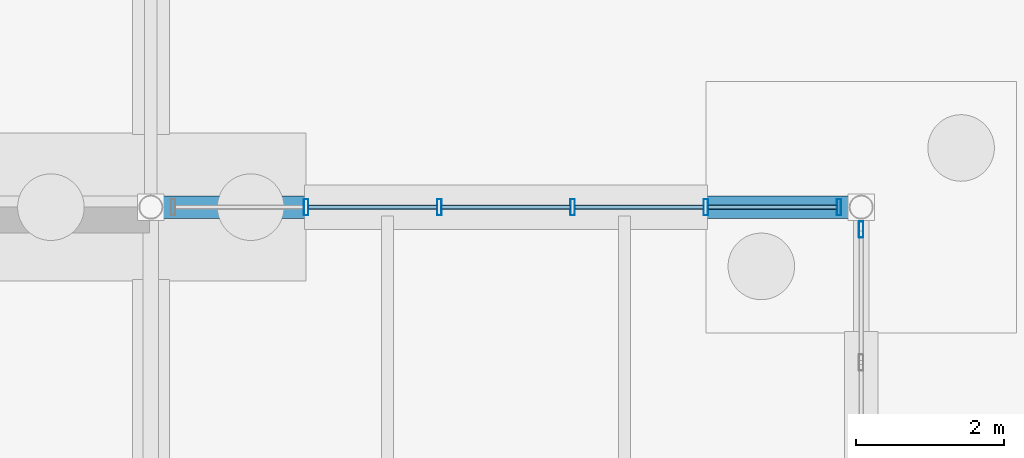
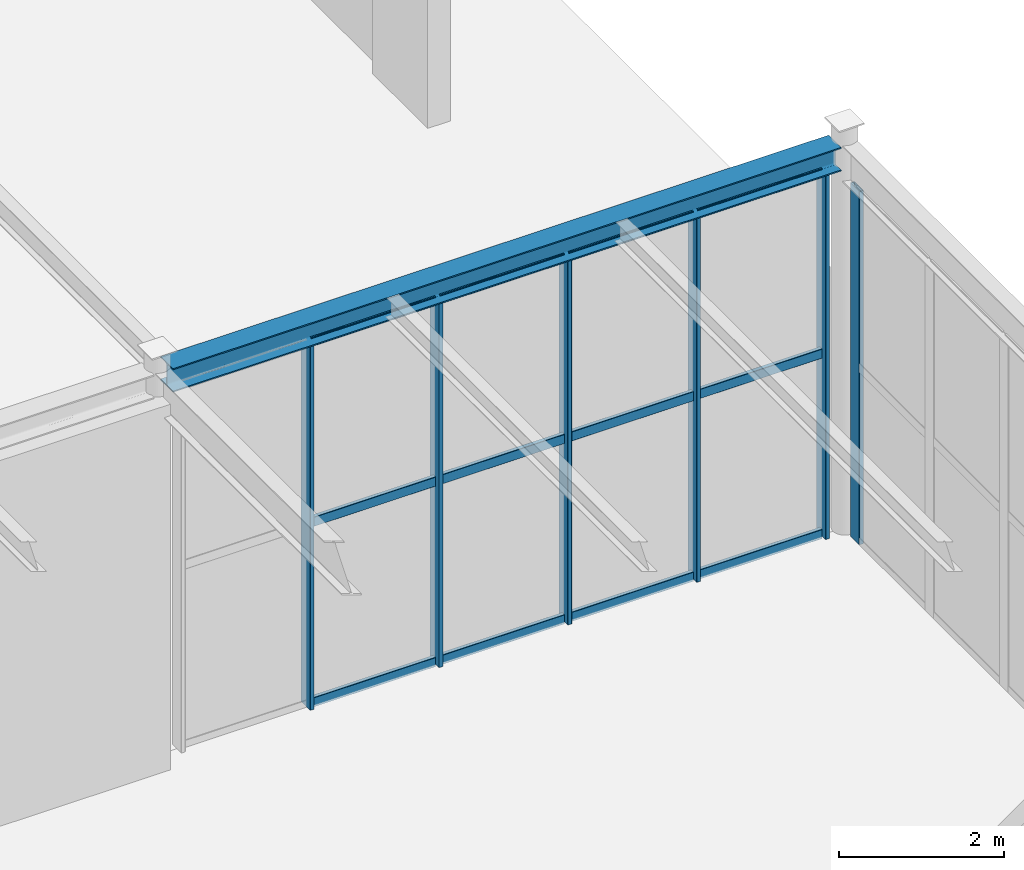
# One storey, part 102 of 142: 18 members, 1 beam, 2 elements without a shape of their own.
"""IFC4 building model written with IfcOpenShell, lengths in metres."""

import ifcopenshell
import ifcopenshell.guid

model = None  # the IFC model being written
_history = None  # IfcOwnerHistory: only IFC2X3 demands one
_inside = {}  # id of a spatial element -> (the spatial element, [elements in it])
_under = {}  # id of a project, library or spatial element -> (it, [spatial elements below it])
_declared = {}  # id of a project -> (the project, [libraries it declares])
_typed = {}  # id of a type object -> (the type object, [elements of that type])
_made_of = {}  # id of a material, layer set ... -> (it, [elements and type objects made of it])


def new_model(schema):
    """Start an empty IFC model of exactly this schema.

    Asked for "IFC4X3", IfcOpenShell would pick the latest addendum, in which some entities
    have other attributes; the version numbers below select the first issue.
    IFC2X3 requires an IfcOwnerHistory on every rooted entity: one is made here for all.
    """
    global model, _history
    if schema == "IFC4X3":
        model = ifcopenshell.file(schema_version=(4, 3, 0, 0))
    else:
        model = ifcopenshell.file(schema=schema)
    _inside.clear()
    _under.clear()
    _declared.clear()
    _typed.clear()
    _made_of.clear()
    _history = None
    if model.schema == "IFC2X3":
        org = make("IfcOrganization", Name="unknown")
        user = make(
            "IfcPersonAndOrganization",
            ThePerson=make("IfcPerson", FamilyName="unknown"),
            TheOrganization=org,
        )
        app = make(
            "IfcApplication",
            ApplicationDeveloper=org,
            Version="unknown",
            ApplicationFullName="unknown",
            ApplicationIdentifier="unknown",
        )
        _history = make(
            "IfcOwnerHistory",
            OwningUser=user,
            OwningApplication=app,
            ChangeAction="ADDED",
            CreationDate=0,
        )
    return model


def make(cls, **values):
    """One entity of the class cls with the attributes given. An attribute that is None is left unset."""
    return model.create_entity(
        cls, **{name: value for name, value in values.items() if value is not None}
    )


def rooted(cls, **values):
    """An entity with a GlobalId (a new one), such as an element, a storey or a relation."""
    return make(cls, GlobalId=ifcopenshell.guid.new(), OwnerHistory=_history, **values)


def si_unit(unit_type, name, prefix=None):
    """IfcSIUnit, for example si_unit("LENGTHUNIT", "METRE", prefix="MILLI")."""
    return make("IfcSIUnit", UnitType=unit_type, Prefix=prefix, Name=name)


def assignment(units):
    """IfcUnitAssignment: the units of a project."""
    return None if units is None else make("IfcUnitAssignment", Units=units)


def point(xyz):
    """IfcCartesianPoint."""
    return None if xyz is None else make("IfcCartesianPoint", Coordinates=xyz)


def direction(xyz):
    """IfcDirection."""
    return None if xyz is None else make("IfcDirection", DirectionRatios=xyz)


def frame(location, z_axis=None, x_axis=None):
    """IfcAxis2Placement3D, a coordinate frame: its origin and axes. An axis left out is left unset."""
    return make(
        "IfcAxis2Placement3D",
        Location=point(location),
        Axis=direction(z_axis),
        RefDirection=direction(x_axis),
    )


def frame_2d(location, x_axis=None):
    """IfcAxis2Placement2D, a coordinate frame in the plane: its origin and x axis."""
    return make(
        "IfcAxis2Placement2D", Location=point(location), RefDirection=direction(x_axis)
    )


def origin():
    """The frame at (0, 0, 0) with its axes left unset."""
    return frame((0.0, 0.0, 0.0))


def origin_2d():
    """The frame at (0, 0) in the plane with its x axis left unset."""
    return frame_2d((0.0, 0.0))


def place(relative_to, where):
    """IfcLocalPlacement: puts the frame where relative to a parent placement (None: the world)."""
    return make(
        "IfcLocalPlacement", PlacementRelTo=relative_to, RelativePlacement=where
    )


def context(
    kind, dimensions, precision=None, world=None, true_north=None, identifier=None
):
    """IfcGeometricRepresentationContext, for example the 3D "Model" context."""
    return make(
        "IfcGeometricRepresentationContext",
        ContextIdentifier=identifier,
        ContextType=kind,
        CoordinateSpaceDimension=dimensions,
        Precision=precision,
        WorldCoordinateSystem=world,
        TrueNorth=true_north,
    )


def subcontext(parent, identifier, kind, view, scale=None):
    """IfcGeometricRepresentationSubContext, for example "Body" below "Model"."""
    return make(
        "IfcGeometricRepresentationSubContext",
        ContextIdentifier=identifier,
        ContextType=kind,
        ParentContext=parent,
        TargetScale=scale,
        TargetView=view,
    )


def project(units=None, contexts=None):
    """IfcProject with its units and contexts."""
    return rooted(
        "IfcProject",
        Name="project",
        RepresentationContexts=contexts,
        UnitsInContext=assignment(units),
    )


def spatial(cls, under=None, at=None, **own):
    """A site, building, storey or space (cls), placed at a placement, below another one or the project."""
    s = rooted(cls, ObjectPlacement=at, **own)
    if under is not None:
        _under.setdefault(under.id(), (under, []))[1].append(s)
    return s


def profile(cls, at=None, kind="AREA", **sizes):
    """A parametric profile (cls). Its sizes go by their IFC names, for example OverallWidth=200.0."""
    return make(cls, ProfileType=kind, Position=at, **sizes)


def hollow_rectangle(**sizes):
    """IfcRectangleHollowProfileDef."""
    return profile("IfcRectangleHollowProfileDef", **sizes)


def i_section(**sizes):
    """IfcIShapeProfileDef."""
    return profile("IfcIShapeProfileDef", **sizes)


def extrude(swept, where, along, depth):
    """IfcExtrudedAreaSolid: the profile swept, set in the frame where, extruded along a direction by depth."""
    return make(
        "IfcExtrudedAreaSolid",
        SweptArea=swept,
        Position=where,
        ExtrudedDirection=direction(along),
        Depth=depth,
    )


def shape(context_of_items, identifier, shape_type, items):
    """IfcShapeRepresentation: the items that make up one representation, for example the "Body"."""
    return make(
        "IfcShapeRepresentation",
        ContextOfItems=context_of_items,
        RepresentationIdentifier=identifier,
        RepresentationType=shape_type,
        Items=items,
    )


def material(Name=None, Category=None):
    """IfcMaterial."""
    return make("IfcMaterial", Name=Name, Category=Category)


def material_profile(
    of_material, cross_section, Name=None, Category=None, Priority=None
):
    """IfcMaterialProfile: a cross section and its material."""
    return make(
        "IfcMaterialProfile",
        Name=Name,
        Material=of_material,
        Profile=cross_section,
        Priority=Priority,
        Category=Category,
    )


def profile_set(profiles, Name=None, composite=None):
    """IfcMaterialProfileSet."""
    return make(
        "IfcMaterialProfileSet",
        Name=Name,
        MaterialProfiles=profiles,
        CompositeProfile=composite,
    )


def made_of(thing, what):
    """Note that an element or type object is made of a material, layer set ...; save() writes the relation."""
    if what is not None:
        _made_of.setdefault(what.id(), (what, []))[1].append(thing)
    return thing


def type_object(cls, material=None, **own):
    """A type object (cls), such as IfcWallType, which elements share."""
    return made_of(rooted(cls, **own), material)


def element(
    cls,
    number,
    at=None,
    inside=None,
    cuts=None,
    type_object=None,
    material=None,
    context=None,
    identifier="Body",
    shape_type=None,
    held_by="IfcProductDefinitionShape",
    body=None,
    shapes=None,
    **own,
):
    """One element of the class cls, such as IfcWall. Its Tag is "e" and its number.

    at: its placement. inside: the storey or other place that contains it. cuts: it is an
    opening in that element (IfcRelVoidsElement). A single representation is given by context,
    identifier, shape_type and body (its items); several are given by shapes. held_by: the class
    of the entity that holds the representations. save() writes the other relations.
    """
    e = rooted(cls, Tag="e%d" % number, ObjectPlacement=at, **own)
    if body is not None:
        shapes = [shape(context, identifier, shape_type, body)]
    if shapes is not None:
        e.Representation = make(held_by, Representations=shapes)
    if inside is not None:
        _inside.setdefault(inside.id(), (inside, []))[1].append(e)
    if cuts is not None:
        rooted(
            "IfcRelVoidsElement", RelatingBuildingElement=cuts, RelatedOpeningElement=e
        )
    if type_object is not None:
        _typed.setdefault(type_object.id(), (type_object, []))[1].append(e)
    return made_of(e, material)


def aggregate(whole, parts):
    """IfcRelAggregates: a whole, such as a stair, and the parts it consists of."""
    return rooted("IfcRelAggregates", RelatingObject=whole, RelatedObjects=parts)


def save(model, path):
    """Write the relations noted so far, then the file.

    IfcRelAggregates (storeys below a building ...), IfcRelContainedInSpatialStructure (elements
    in a storey), IfcRelDefinesByType, IfcRelAssociatesMaterial and IfcRelDeclares: one each for
    every whole, place, type object, material and project.
    """
    for whole, parts in _under.values():
        aggregate(whole, parts)
    for where, things in _inside.values():
        rooted(
            "IfcRelContainedInSpatialStructure",
            RelatedElements=things,
            RelatingStructure=where,
        )
    for kind, things in _typed.values():
        rooted("IfcRelDefinesByType", RelatedObjects=things, RelatingType=kind)
    for what, things in _made_of.values():
        rooted("IfcRelAssociatesMaterial", RelatedObjects=things, RelatingMaterial=what)
    for by, libraries in _declared.values():
        rooted("IfcRelDeclares", RelatingContext=by, RelatedDefinitions=libraries)
    model.write(path)


model = new_model("IFC4")

# Units and contexts
model_context = context("Model", 3, precision=1e-05, world=origin(), true_north=direction((0.0, 1.0)))
body_context = subcontext(model_context, "Body", "Model", "MODEL_VIEW")
ifc_project = project(units=[si_unit("LENGTHUNIT", "METRE"), si_unit("AREAUNIT", "SQUARE_METRE"), si_unit("VOLUMEUNIT", "CUBIC_METRE"), si_unit("PLANEANGLEUNIT", "RADIAN"), si_unit("MASSUNIT", "GRAM", prefix="KILO")], contexts=[model_context])

# Site, building, storey
site_placement = place(None, origin())
site = spatial("IfcSite", under=ifc_project, at=site_placement, CompositionType="ELEMENT")
building_placement = place(site_placement, origin())
building = spatial("IfcBuilding", under=site, at=building_placement, Name="Coralgate Yard Interchange", CompositionType="ELEMENT")
storey_placement = place(building_placement, origin())
storey = spatial("IfcBuildingStorey", under=building, at=storey_placement, Name="L00", CompositionType="ELEMENT", Elevation=0.0)

# Beam
ifc_material_1 = material(Name="Structural steel S355J2", Category="steel")
ifc_material_profile_1 = material_profile(ifc_material_1, i_section(OverallWidth=0.300048828125, OverallDepth=0.35009765625, WebThickness=0.010009765625, FlangeThickness=0.017578125, FilletRadius=0.027099609375, at=origin_2d()), Name="HEA 360")
ifc_profile_set_1 = profile_set([ifc_material_profile_1], Name="Structural steel S355J2")
beam_type = type_object("IfcBeamType", Name="BM-SP-1", PredefinedType="SPANDREL", material=ifc_profile_set_1)
beam_placement = place(storey_placement, frame((172.931884765625, 96.0, 5.574951171875), z_axis=(1.0, 0.0, 0.0), x_axis=(0.0, 1.0, 0.0)))
element("IfcBeam", 1, at=beam_placement, inside=storey, type_object=beam_type, Name="L00 primary grid beam Y10 X18-19", PredefinedType="SPANDREL", context=body_context, shape_type="SweptSolid", body=[
    extrude(i_section(OverallWidth=0.300048828125, OverallDepth=0.35009765625, WebThickness=0.010009765625, FlangeThickness=0.017578125, FilletRadius=0.027099609375, at=origin_2d()), origin(), (0.0, 0.0, 1.0), 9.336181640625),
])

# Curtain wall, members
ifc_material_2 = material(Name="Anodised coastal aluminium and solar-control low-E glass", Category="aluminium")
curtain_wall_type_1 = type_object("IfcCurtainWallType", Name="CW-CW-L00-A", PredefinedType="NOTDEFINED", material=ifc_material_2)
curtain_wall_1_placement = place(storey_placement, origin())
curtain_wall_1 = element("IfcCurtainWall", 2, at=curtain_wall_1_placement, inside=storey, type_object=curtain_wall_type_1, Name="L00 unitised curtain wall CW-L00-N-18-09", PredefinedType="NOTDEFINED")
ifc_material_3 = material(Name="Anodised coastal aluminium 6063-T6", Category="aluminium")
ifc_material_profile_2 = material_profile(ifc_material_3, hollow_rectangle(XDim=0.06005859375, YDim=0.219970703125, WallThickness=0.00390625, InnerFilletRadius=0.00390625, OuterFilletRadius=0.008056640625, at=origin_2d()), Name="ALU 60x220x4")
ifc_profile_set_2 = profile_set([ifc_material_profile_2], Name="Anodised coastal aluminium 6063-T6")
member_type_1 = type_object("IfcMemberType", Name="MB-MUL-220", PredefinedType="MULLION", material=ifc_profile_set_2)
member_1_placement = place(storey_placement, frame((174.89990234375, 96.0, 0.0), z_axis=(0.0, 0.0, 1.0), x_axis=(1.0, 0.0, 0.0)))
member_1 = element("IfcMember", 3, at=member_1_placement, type_object=member_type_1, Name="CW-L00-N-18-09 vertical mullion 2", PredefinedType="MULLION", context=body_context, shape_type="SweptSolid", body=[
    extrude(hollow_rectangle(XDim=0.06005859375, YDim=0.219970703125, WallThickness=0.00390625, InnerFilletRadius=0.00390625, OuterFilletRadius=0.008056640625, at=origin_2d()), origin(), (0.0, 0.0, 1.0), 5.39990234375),
])
member_2_placement = place(storey_placement, frame((176.699951171875, 96.0, 0.0), z_axis=(0.0, 0.0, 1.0), x_axis=(1.0, 0.0, 0.0)))
member_2 = element("IfcMember", 4, at=member_2_placement, type_object=member_type_1, Name="CW-L00-N-18-09 vertical mullion 3", PredefinedType="MULLION", context=body_context, shape_type="SweptSolid", body=[
    extrude(hollow_rectangle(XDim=0.06005859375, YDim=0.219970703125, WallThickness=0.00390625, InnerFilletRadius=0.00390625, OuterFilletRadius=0.008056640625, at=origin_2d()), origin(), (0.0, 0.0, 1.0), 5.39990234375),
])
member_3_placement = place(storey_placement, frame((178.5, 96.0, 0.0), z_axis=(0.0, 0.0, 1.0), x_axis=(1.0, 0.0, 0.0)))
member_3 = element("IfcMember", 5, at=member_3_placement, type_object=member_type_1, Name="CW-L00-N-18-09 vertical mullion 4", PredefinedType="MULLION", context=body_context, shape_type="SweptSolid", body=[
    extrude(hollow_rectangle(XDim=0.06005859375, YDim=0.219970703125, WallThickness=0.00390625, InnerFilletRadius=0.00390625, OuterFilletRadius=0.008056640625, at=origin_2d()), origin(), (0.0, 0.0, 1.0), 5.39990234375),
])
member_4_placement = place(storey_placement, frame((180.300048828125, 96.0, 0.0), z_axis=(0.0, 0.0, 1.0), x_axis=(1.0, 0.0, 0.0)))
member_4 = element("IfcMember", 6, at=member_4_placement, type_object=member_type_1, Name="CW-L00-N-18-09 vertical mullion 5", PredefinedType="MULLION", context=body_context, shape_type="SweptSolid", body=[
    extrude(hollow_rectangle(XDim=0.06005859375, YDim=0.219970703125, WallThickness=0.00390625, InnerFilletRadius=0.00390625, OuterFilletRadius=0.008056640625, at=origin_2d()), origin(), (0.0, 0.0, 1.0), 5.39990234375),
])
member_5_placement = place(storey_placement, frame((182.10009765625, 96.0, 0.0), z_axis=(0.0, 0.0, 1.0), x_axis=(1.0, 0.0, 0.0)))
member_5 = element("IfcMember", 7, at=member_5_placement, type_object=member_type_1, Name="CW-L00-N-18-09 vertical mullion 6", PredefinedType="MULLION", context=body_context, shape_type="SweptSolid", body=[
    extrude(hollow_rectangle(XDim=0.06005859375, YDim=0.219970703125, WallThickness=0.00390625, InnerFilletRadius=0.00390625, OuterFilletRadius=0.008056640625, at=origin_2d()), origin(), (0.0, 0.0, 1.0), 5.39990234375),
])

# Curtain wall, member
curtain_wall_type_2 = type_object("IfcCurtainWallType", Name="CW-CW-L00-B", PredefinedType="NOTDEFINED", material=ifc_material_2)
curtain_wall_2_placement = place(storey_placement, origin())
curtain_wall_2 = element("IfcCurtainWall", 8, at=curtain_wall_2_placement, inside=storey, type_object=curtain_wall_type_2, Name="L00 unitised curtain wall CW-L00-E-18-09", PredefinedType="NOTDEFINED")
member_6_placement = place(storey_placement, frame((182.39990234375, 95.699951171875, 0.0), z_axis=(0.0, 0.0, 1.0), x_axis=(1.0, 0.0, 0.0)))
member_6 = element("IfcMember", 9, at=member_6_placement, type_object=member_type_1, Name="CW-L00-E-18-09 vertical mullion 1", PredefinedType="MULLION", context=body_context, shape_type="SweptSolid", body=[
    extrude(hollow_rectangle(XDim=0.06005859375, YDim=0.219970703125, WallThickness=0.00390625, InnerFilletRadius=0.00390625, OuterFilletRadius=0.008056640625, at=origin_2d()), origin(), (0.0, 0.0, 1.0), 5.216796875),
])
aggregate(curtain_wall_2, [member_6])

# Member
ifc_material_profile_3 = material_profile(ifc_material_3, hollow_rectangle(XDim=0.06005859375, YDim=0.139892578125, WallThickness=0.00341796875, InnerFilletRadius=0.00341796875, OuterFilletRadius=0.007080078125, at=origin_2d()), Name="ALU 60x140x3.5")
ifc_profile_set_3 = profile_set([ifc_material_profile_3], Name="Anodised coastal aluminium 6063-T6")
member_type_2 = type_object("IfcMemberType", Name="MB-TRN-140", PredefinedType="USERDEFINED", material=ifc_profile_set_3)
member_7_placement = place(storey_placement, frame((174.929931640625, 96.0, 0.034912109375), z_axis=(1.0, 0.0, 0.0), x_axis=(0.0, 1.0, 0.0)))
member_7 = element("IfcMember", 10, at=member_7_placement, type_object=member_type_2, Name="CW-L00-N-18-09 horizontal transom 2-1", ObjectType="TRANSOM", PredefinedType="USERDEFINED", context=body_context, shape_type="SweptSolid", body=[
    extrude(hollow_rectangle(XDim=0.06005859375, YDim=0.139892578125, WallThickness=0.00341796875, InnerFilletRadius=0.00341796875, OuterFilletRadius=0.007080078125, at=origin_2d()), origin(), (0.0, 0.0, 1.0), 1.739990234375),
])

member_8_placement = place(storey_placement, frame((174.929931640625, 96.0, 2.699951171875), z_axis=(1.0, 0.0, 0.0), x_axis=(0.0, 1.0, 0.0)))
member_8 = element("IfcMember", 11, at=member_8_placement, type_object=member_type_2, Name="CW-L00-N-18-09 horizontal transom 2-2", ObjectType="TRANSOM", PredefinedType="USERDEFINED", context=body_context, shape_type="SweptSolid", body=[
    extrude(hollow_rectangle(XDim=0.06005859375, YDim=0.139892578125, WallThickness=0.00341796875, InnerFilletRadius=0.00341796875, OuterFilletRadius=0.007080078125, at=origin_2d()), origin(), (0.0, 0.0, 1.0), 1.739990234375),
])

member_9_placement = place(storey_placement, frame((174.929931640625, 96.0, 5.364990234375), z_axis=(1.0, 0.0, 0.0), x_axis=(0.0, 1.0, 0.0)))
member_9 = element("IfcMember", 12, at=member_9_placement, type_object=member_type_2, Name="CW-L00-N-18-09 horizontal transom 2-3", ObjectType="TRANSOM", PredefinedType="USERDEFINED", context=body_context, shape_type="SweptSolid", body=[
    extrude(hollow_rectangle(XDim=0.06005859375, YDim=0.139892578125, WallThickness=0.00341796875, InnerFilletRadius=0.00341796875, OuterFilletRadius=0.007080078125, at=origin_2d()), origin(), (0.0, 0.0, 1.0), 1.739990234375),
])

member_10_placement = place(storey_placement, frame((176.72998046875, 96.0, 0.034912109375), z_axis=(1.0, 0.0, 0.0), x_axis=(0.0, 1.0, 0.0)))
member_10 = element("IfcMember", 13, at=member_10_placement, type_object=member_type_2, Name="CW-L00-N-18-09 horizontal transom 3-1", ObjectType="TRANSOM", PredefinedType="USERDEFINED", context=body_context, shape_type="SweptSolid", body=[
    extrude(hollow_rectangle(XDim=0.06005859375, YDim=0.139892578125, WallThickness=0.00341796875, InnerFilletRadius=0.00341796875, OuterFilletRadius=0.007080078125, at=origin_2d()), origin(), (0.0, 0.0, 1.0), 1.739990234375),
])

member_11_placement = place(storey_placement, frame((176.72998046875, 96.0, 2.699951171875), z_axis=(1.0, 0.0, 0.0), x_axis=(0.0, 1.0, 0.0)))
member_11 = element("IfcMember", 14, at=member_11_placement, type_object=member_type_2, Name="CW-L00-N-18-09 horizontal transom 3-2", ObjectType="TRANSOM", PredefinedType="USERDEFINED", context=body_context, shape_type="SweptSolid", body=[
    extrude(hollow_rectangle(XDim=0.06005859375, YDim=0.139892578125, WallThickness=0.00341796875, InnerFilletRadius=0.00341796875, OuterFilletRadius=0.007080078125, at=origin_2d()), origin(), (0.0, 0.0, 1.0), 1.739990234375),
])

member_12_placement = place(storey_placement, frame((176.72998046875, 96.0, 5.364990234375), z_axis=(1.0, 0.0, 0.0), x_axis=(0.0, 1.0, 0.0)))
member_12 = element("IfcMember", 15, at=member_12_placement, type_object=member_type_2, Name="CW-L00-N-18-09 horizontal transom 3-3", ObjectType="TRANSOM", PredefinedType="USERDEFINED", context=body_context, shape_type="SweptSolid", body=[
    extrude(hollow_rectangle(XDim=0.06005859375, YDim=0.139892578125, WallThickness=0.00341796875, InnerFilletRadius=0.00341796875, OuterFilletRadius=0.007080078125, at=origin_2d()), origin(), (0.0, 0.0, 1.0), 1.739990234375),
])

member_13_placement = place(storey_placement, frame((178.530029296875, 96.0, 0.034912109375), z_axis=(1.0, 0.0, 0.0), x_axis=(0.0, 1.0, 0.0)))
member_13 = element("IfcMember", 16, at=member_13_placement, type_object=member_type_2, Name="CW-L00-N-18-09 horizontal transom 4-1", ObjectType="TRANSOM", PredefinedType="USERDEFINED", context=body_context, shape_type="SweptSolid", body=[
    extrude(hollow_rectangle(XDim=0.06005859375, YDim=0.139892578125, WallThickness=0.00341796875, InnerFilletRadius=0.00341796875, OuterFilletRadius=0.007080078125, at=origin_2d()), origin(), (0.0, 0.0, 1.0), 1.739990234375),
])

member_14_placement = place(storey_placement, frame((178.530029296875, 96.0, 2.699951171875), z_axis=(1.0, 0.0, 0.0), x_axis=(0.0, 1.0, 0.0)))
member_14 = element("IfcMember", 17, at=member_14_placement, type_object=member_type_2, Name="CW-L00-N-18-09 horizontal transom 4-2", ObjectType="TRANSOM", PredefinedType="USERDEFINED", context=body_context, shape_type="SweptSolid", body=[
    extrude(hollow_rectangle(XDim=0.06005859375, YDim=0.139892578125, WallThickness=0.00341796875, InnerFilletRadius=0.00341796875, OuterFilletRadius=0.007080078125, at=origin_2d()), origin(), (0.0, 0.0, 1.0), 1.739990234375),
])

member_15_placement = place(storey_placement, frame((178.530029296875, 96.0, 5.364990234375), z_axis=(1.0, 0.0, 0.0), x_axis=(0.0, 1.0, 0.0)))
member_15 = element("IfcMember", 18, at=member_15_placement, type_object=member_type_2, Name="CW-L00-N-18-09 horizontal transom 4-3", ObjectType="TRANSOM", PredefinedType="USERDEFINED", context=body_context, shape_type="SweptSolid", body=[
    extrude(hollow_rectangle(XDim=0.06005859375, YDim=0.139892578125, WallThickness=0.00341796875, InnerFilletRadius=0.00341796875, OuterFilletRadius=0.007080078125, at=origin_2d()), origin(), (0.0, 0.0, 1.0), 1.739990234375),
])

member_16_placement = place(storey_placement, frame((180.330078125, 96.0, 0.034912109375), z_axis=(1.0, 0.0, 0.0), x_axis=(0.0, 1.0, 0.0)))
member_16 = element("IfcMember", 19, at=member_16_placement, type_object=member_type_2, Name="CW-L00-N-18-09 horizontal transom 5-1", ObjectType="TRANSOM", PredefinedType="USERDEFINED", context=body_context, shape_type="SweptSolid", body=[
    extrude(hollow_rectangle(XDim=0.06005859375, YDim=0.139892578125, WallThickness=0.00341796875, InnerFilletRadius=0.00341796875, OuterFilletRadius=0.007080078125, at=origin_2d()), origin(), (0.0, 0.0, 1.0), 1.739990234375),
])

member_17_placement = place(storey_placement, frame((180.330078125, 96.0, 2.699951171875), z_axis=(1.0, 0.0, 0.0), x_axis=(0.0, 1.0, 0.0)))
member_17 = element("IfcMember", 20, at=member_17_placement, type_object=member_type_2, Name="CW-L00-N-18-09 horizontal transom 5-2", ObjectType="TRANSOM", PredefinedType="USERDEFINED", context=body_context, shape_type="SweptSolid", body=[
    extrude(hollow_rectangle(XDim=0.06005859375, YDim=0.139892578125, WallThickness=0.00341796875, InnerFilletRadius=0.00341796875, OuterFilletRadius=0.007080078125, at=origin_2d()), origin(), (0.0, 0.0, 1.0), 1.739990234375),
])

member_18_placement = place(storey_placement, frame((180.330078125, 96.0, 5.364990234375), z_axis=(1.0, 0.0, 0.0), x_axis=(0.0, 1.0, 0.0)))
member_18 = element("IfcMember", 21, at=member_18_placement, type_object=member_type_2, Name="CW-L00-N-18-09 horizontal transom 5-3", ObjectType="TRANSOM", PredefinedType="USERDEFINED", context=body_context, shape_type="SweptSolid", body=[
    extrude(hollow_rectangle(XDim=0.06005859375, YDim=0.139892578125, WallThickness=0.00341796875, InnerFilletRadius=0.00341796875, OuterFilletRadius=0.007080078125, at=origin_2d()), origin(), (0.0, 0.0, 1.0), 1.739990234375),
])

aggregate(curtain_wall_1, [member_1, member_2, member_3, member_4, member_5, member_7, member_8, member_9, member_10, member_11, member_12, member_13, member_14, member_15, member_16, member_17, member_18])

save(model, "model.ifc")
